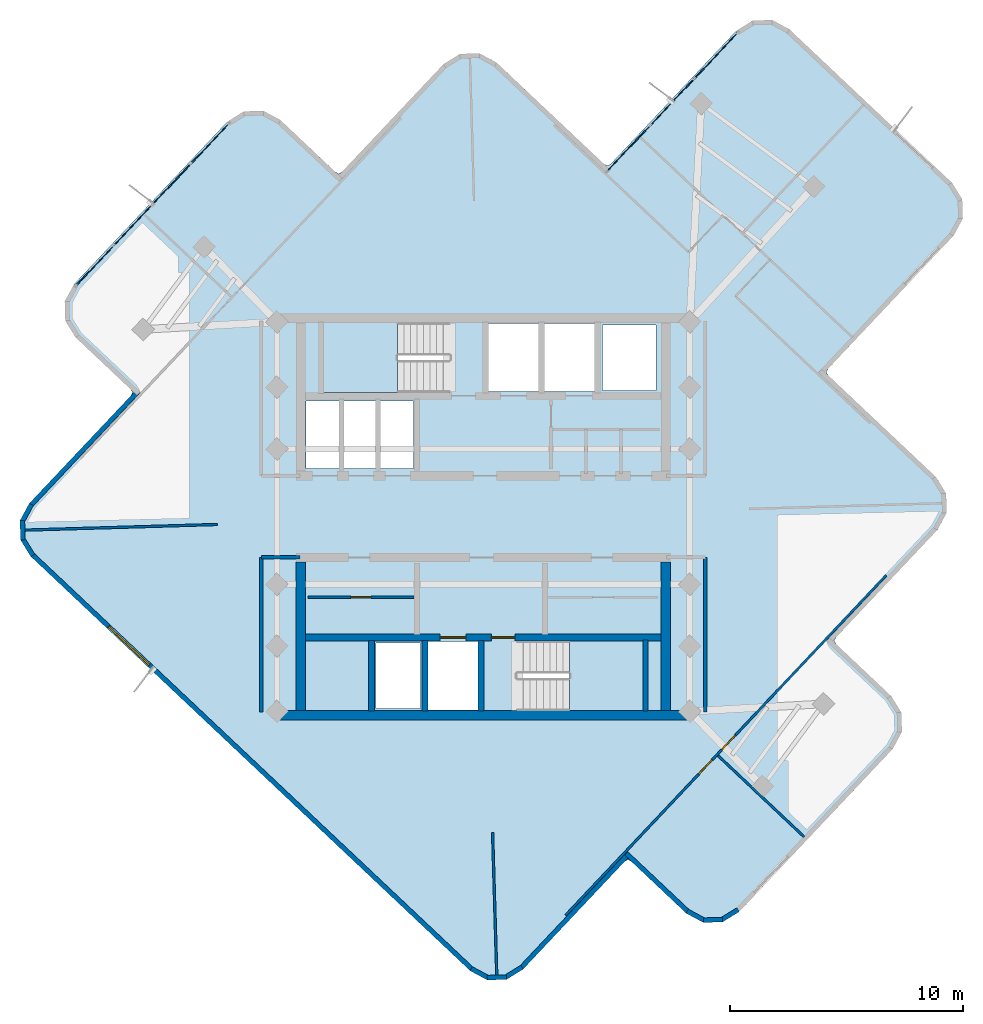
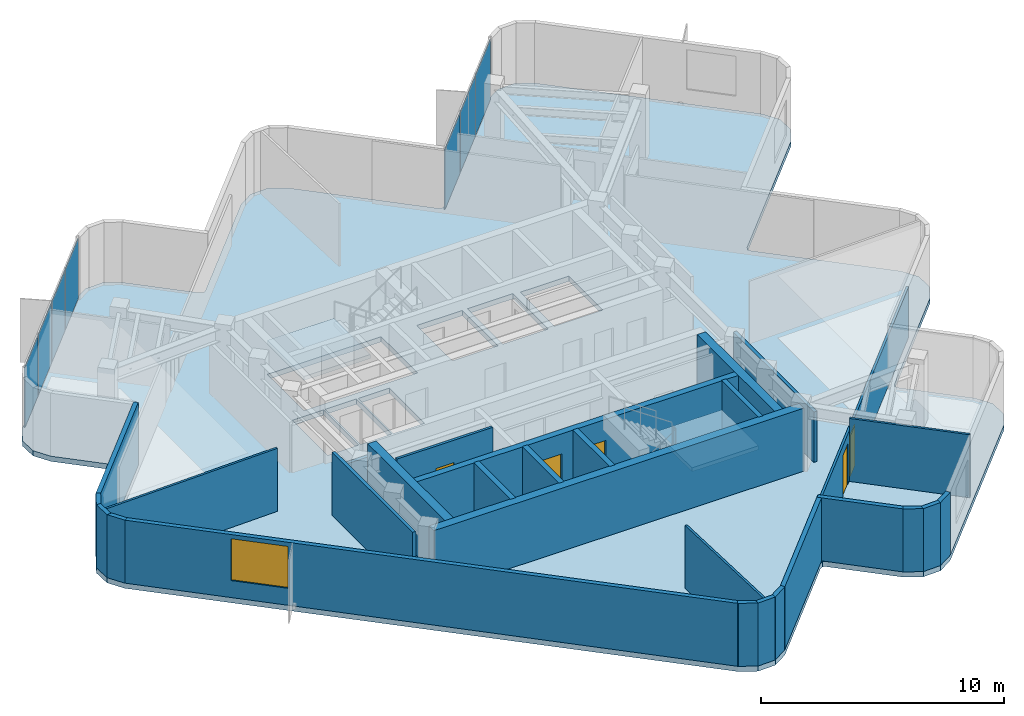
# One storey, part 5 of 10: 29 walls, 7 plates, 5 doors, 3 slabs, 1 window, 6 openings, 4 elements without a shape of their own.
"""IFC4 building model written with IfcOpenShell, lengths in metres."""

from ifc_helpers import new_model, si_unit, direction, frame, frame_2d, origin, origin_2d, place, context, subcontext, project, spatial, polyline, rectangle, outline, extrude, material, layer, layer_set, type_object, element, fill, aggregate, save


model = new_model("IFC4")

# Units and contexts
model_context = context("Model", 3, precision=1e-05, world=origin(), true_north=direction((0.0, 1.0)))
body_context = subcontext(model_context, "Body", "Model", "MODEL_VIEW")
ifc_project = project(units=[si_unit("LENGTHUNIT", "METRE"), si_unit("AREAUNIT", "SQUARE_METRE"), si_unit("VOLUMEUNIT", "CUBIC_METRE"), si_unit("PLANEANGLEUNIT", "RADIAN"), si_unit("MASSUNIT", "GRAM", prefix="KILO")], contexts=[model_context])

# Site, building, storey
site_placement = place(None, origin())
site = spatial("IfcSite", under=ifc_project, at=site_placement, CompositionType="ELEMENT")
building_placement = place(site_placement, origin())
building = spatial("IfcBuilding", under=site, at=building_placement, Name="Solmarez Civic Tower", CompositionType="ELEMENT")
storey_placement = place(building_placement, frame((0.0, 0.0, 247.5)))
storey = spatial("IfcBuildingStorey", under=building, at=storey_placement, Name="L66", CompositionType="ELEMENT", Elevation=247.5)

# Curtain wall, plates
ifc_material_1 = material(Name="Bronze Anodised Aluminium EN AW-6063 T6", Category="aluminium")
ifc_layer_1 = layer(ifc_material_1, 0.1650390625)
ifc_layer_set_1 = layer_set([ifc_layer_1], Name="Bronze Anodised Aluminium EN AW-6063 T6")
curtain_wall_type = type_object("IfcCurtainWallType", Name="CW-SYS-4", PredefinedType="NOTDEFINED", material=ifc_layer_set_1)
curtain_wall_1_placement = place(storey_placement, origin())
curtain_wall_1 = element("IfcCurtainWall", 1, at=curtain_wall_1_placement, inside=storey, type_object=curtain_wall_type, Name="L66 Stick-Built Curtain Wall 1", PredefinedType="NOTDEFINED")
ifc_material_2 = material(Name="Solar Control Low-E Laminated Vision Glass", Category="glass")
ifc_layer_2 = layer(ifc_material_2, 0.0400390625)
ifc_layer_set_2 = layer_set([ifc_layer_2], Name="Solar Control Low-E Laminated Vision Glass")
plate_type = type_object("IfcPlateType", Name="CWP-GLAZ-40", PredefinedType="CURTAIN_PANEL", material=ifc_layer_set_2)
plate_1_placement = place(storey_placement, frame((-16.65234375, 10.763916015625, 0.070068359375), z_axis=(0.0, 0.0, 1.0), x_axis=(0.68607102323, 0.727534570371, 0.0)))
plate_1 = element("IfcPlate", 2, at=plate_1_placement, type_object=plate_type, Name="CWS4 panel 1.1", PredefinedType="CURTAIN_PANEL", context=body_context, shape_type="SweptSolid", body=[
    extrude(rectangle(XDim=2.315673828125, YDim=0.0400390625, at=origin_2d()), origin(), (0.0, 0.0, 1.0), 3.02001953125),
])
plate_2_placement = place(storey_placement, frame((-15.01220703125, 12.50341796875, 0.070068359375), z_axis=(0.0, 0.0, 1.0), x_axis=(0.68607102323, 0.727534570371, 0.0)))
plate_2 = element("IfcPlate", 3, at=plate_2_placement, type_object=plate_type, Name="CWS4 panel 2.1", PredefinedType="CURTAIN_PANEL", context=body_context, shape_type="SweptSolid", body=[
    extrude(rectangle(XDim=2.345703125, YDim=0.0400390625, at=origin_2d()), origin(), (0.0, 0.0, 1.0), 3.02001953125),
])
plate_3_placement = place(storey_placement, frame((-13.36181640625, 14.253662109375, 0.070068359375), z_axis=(0.0, 0.0, 1.0), x_axis=(0.68607102323, 0.727534570371, 0.0)))
plate_3 = element("IfcPlate", 4, at=plate_3_placement, type_object=plate_type, Name="CWS4 panel 3.1", PredefinedType="CURTAIN_PANEL", context=body_context, shape_type="SweptSolid", body=[
    extrude(rectangle(XDim=2.345703125, YDim=0.0400390625, at=origin_2d()), origin(), (0.0, 0.0, 1.0), 3.02001953125),
])
plate_4_placement = place(storey_placement, frame((-11.721435546875, 15.992919921875, 0.070068359375), z_axis=(0.0, 0.0, 1.0), x_axis=(0.68607102323, 0.727534570371, 0.0)))
plate_4 = element("IfcPlate", 5, at=plate_4_placement, type_object=plate_type, Name="CWS4 panel 4.1", PredefinedType="CURTAIN_PANEL", context=body_context, shape_type="SweptSolid", body=[
    extrude(rectangle(XDim=2.315673828125, YDim=0.0400390625, at=origin_2d()), origin(), (0.0, 0.0, 1.0), 3.02001953125),
])
aggregate(curtain_wall_1, [plate_1, plate_2, plate_3, plate_4])

curtain_wall_2_placement = place(storey_placement, origin())
curtain_wall_2 = element("IfcCurtainWall", 6, at=curtain_wall_2_placement, inside=storey, type_object=curtain_wall_type, Name="L66 Stick-Built Curtain Wall 2", PredefinedType="NOTDEFINED")
plate_5_placement = place(storey_placement, frame((6.227783203125, 15.7880859375, 0.070068359375), z_axis=(0.0, 0.0, 1.0), x_axis=(0.6861780287, 0.727433648472, 0.0)))
plate_5 = element("IfcPlate", 7, at=plate_5_placement, type_object=plate_type, Name="CWS4 panel 1.1", PredefinedType="CURTAIN_PANEL", context=body_context, shape_type="SweptSolid", body=[
    extrude(rectangle(XDim=2.656982421875, YDim=0.0400390625, at=origin_2d()), origin(), (0.0, 0.0, 1.0), 3.02001953125),
])
plate_6_placement = place(storey_placement, frame((8.1025390625, 17.775390625, 0.070068359375), z_axis=(0.0, 0.0, 1.0), x_axis=(0.6861780287, 0.727433648472, 0.0)))
plate_6 = element("IfcPlate", 8, at=plate_6_placement, type_object=plate_type, Name="CWS4 panel 2.1", PredefinedType="CURTAIN_PANEL", context=body_context, shape_type="SweptSolid", body=[
    extrude(rectangle(XDim=2.68701171875, YDim=0.0400390625, at=origin_2d()), origin(), (0.0, 0.0, 1.0), 3.02001953125),
])
plate_7_placement = place(storey_placement, frame((9.977294921875, 19.762939453125, 0.070068359375), z_axis=(0.0, 0.0, 1.0), x_axis=(0.6861780287, 0.727433648472, 0.0)))
plate_7 = element("IfcPlate", 9, at=plate_7_placement, type_object=plate_type, Name="CWS4 panel 3.1", PredefinedType="CURTAIN_PANEL", context=body_context, shape_type="SweptSolid", body=[
    extrude(rectangle(XDim=2.656982421875, YDim=0.0400390625, at=origin_2d()), origin(), (0.0, 0.0, 1.0), 3.02001953125),
])
aggregate(curtain_wall_2, [plate_5, plate_6, plate_7])

# Stair, slab
ifc_material_3 = material(Name="Concrete C50/60", Category="concrete")
stair_type = type_object("IfcStairType", Name="STAIR-DOGLEG-140W-18R-1900", PredefinedType="HALF_TURN_STAIR", material=ifc_material_3)
stair_1_placement = place(storey_placement, origin())
stair_1 = element("IfcStair", 10, at=stair_1_placement, inside=storey, type_object=stair_type, Name="L66 North Core Protected Exit Stair ST-1", PredefinedType="HALF_TURN_STAIR")
ifc_layer_3 = layer(ifc_material_3, 0.199951171875)
ifc_layer_set_3 = layer_set([ifc_layer_3], Name="Concrete C50/60")
slab_type_1 = type_object("IfcSlabType", Name="SLAB-LANDING-200", PredefinedType="LANDING", material=ifc_layer_set_3)
slab_1_placement = place(storey_placement, frame((0.0, 0.0, 1.510009765625)))
slab_1 = element("IfcSlab", 11, at=slab_1_placement, type_object=slab_type_1, Name="ST-1 landing 1", PredefinedType="LANDING", context=body_context, shape_type="SweptSolid", body=[
    extrude(outline(polyline([(-3.68994140625, 8.320068359375), (-6.85009765625, 8.320068359375), (-6.85009765625, 5.320068359375), (-3.68994140625, 5.320068359375), (-3.68994140625, 8.320068359375)])), origin(), (0.0, 0.0, 1.0), 0.199951171875),
])
aggregate(stair_1, [slab_1])

stair_2_placement = place(storey_placement, origin())
stair_2 = element("IfcStair", 12, at=stair_2_placement, inside=storey, type_object=stair_type, Name="L66 South Core Protected Exit Stair ST-2", PredefinedType="HALF_TURN_STAIR")
slab_2_placement = place(storey_placement, frame((0.0, 0.0, 1.510009765625)))
slab_2 = element("IfcSlab", 13, at=slab_2_placement, type_object=slab_type_1, Name="ST-2 landing 1", PredefinedType="LANDING", context=body_context, shape_type="SweptSolid", body=[
    extrude(outline(polyline([(3.68994140625, -8.320068359375), (6.85009765625, -8.320068359375), (6.85009765625, -5.320068359375), (3.68994140625, -5.320068359375), (3.68994140625, -8.320068359375)])), origin(), (0.0, 0.0, 1.0), 0.199951171875),
])
aggregate(stair_2, [slab_2])

# Slab
ifc_layer_4 = layer(ifc_material_3, 0.260009765625)
ifc_layer_set_4 = layer_set([ifc_layer_4], Name="Concrete C50/60")
slab_type_2 = type_object("IfcSlabType", Name="SLAB-TOWER-260", PredefinedType="FLOOR", material=ifc_layer_set_4)
slab_3_placement = place(storey_placement, frame((0.0, 0.0, -0.260009765625)))
element("IfcSlab", 14, at=slab_3_placement, inside=storey, type_object=slab_type_2, Name="L66 Structural Slab", PredefinedType="FLOOR", context=body_context, shape_type="SweptSolid", body=[
    extrude(outline(polyline([(6.347900390625, -14.782958984375), (8.705078125, -17.006103515625), (9.43408203125, -17.39794921875), (10.261962890625, -17.3740234375), (10.967041015625, -16.93896484375), (17.552978515625, -9.955078125), (17.946044921875, -9.22607421875), (17.9208984375, -8.39794921875), (17.486083984375, -7.693115234375), (15.1298828125, -5.470947265625), (15.0390625, -5.323974609375), (15.12109375, -5.173095703125), (19.469970703125, -0.56103515625), (19.863037109375, 0.16796875), (19.839111328125, 0.99609375), (19.404052734375, 1.700927734375), (14.7919921875, 6.050048828125), (14.700927734375, 6.197021484375), (14.782958984375, 6.347900390625), (20.160888671875, 12.051025390625), (20.553955078125, 12.780029296875), (20.530029296875, 13.60791015625), (20.094970703125, 14.31298828125), (13.111083984375, 20.89892578125), (12.382080078125, 21.2919921875), (11.553955078125, 21.26806640625), (10.84912109375, 20.8330078125), (5.470947265625, 15.1298828125), (5.323974609375, 15.0390625), (5.173095703125, 15.12109375), (0.56103515625, 19.469970703125), (-0.16796875, 19.863037109375), (-0.99609375, 19.839111328125), (-1.700927734375, 19.404052734375), (-6.050048828125, 14.7919921875), (-6.197021484375, 14.700927734375), (-6.347900390625, 14.782958984375), (-8.705078125, 17.006103515625), (-9.43408203125, 17.39794921875), (-10.261962890625, 17.3740234375), (-10.967041015625, 16.93896484375), (-17.552978515625, 9.955078125), (-17.946044921875, 9.22607421875), (-17.9208984375, 8.39794921875), (-17.486083984375, 7.693115234375), (-15.1298828125, 5.470947265625), (-15.0390625, 5.323974609375), (-15.12109375, 5.173095703125), (-19.469970703125, 0.56103515625), (-19.863037109375, -0.16796875), (-19.839111328125, -0.99609375), (-19.404052734375, -1.700927734375), (-0.56103515625, -19.469970703125), (0.16796875, -19.863037109375), (0.99609375, -19.839111328125), (1.700927734375, -19.404052734375), (6.050048828125, -14.7919921875), (6.197021484375, -14.700927734375), (6.347900390625, -14.782958984375)]), holes=[polyline([(-1.449951171875, 8.320068359375), (-6.85009765625, 8.320068359375), (-6.85009765625, 5.320068359375), (-1.449951171875, 5.320068359375), (-1.449951171875, 8.320068359375)]), polyline([(1.449951171875, -8.320068359375), (6.85009765625, -8.320068359375), (6.85009765625, -5.320068359375), (1.449951171875, -5.320068359375), (1.449951171875, -8.320068359375)]), polyline([(0.219970703125, 5.360107421875), (2.3798828125, 5.360107421875), (2.3798828125, 8.280029296875), (0.219970703125, 8.280029296875), (0.219970703125, 5.360107421875)]), polyline([(2.6201171875, 5.360107421875), (4.780029296875, 5.360107421875), (4.780029296875, 8.280029296875), (2.6201171875, 8.280029296875), (2.6201171875, 5.360107421875)]), polyline([(-2.3798828125, -8.280029296875), (-0.219970703125, -8.280029296875), (-0.219970703125, -5.360107421875), (-2.3798828125, -5.360107421875), (-2.3798828125, -8.280029296875)]), polyline([(-7.60009765625, 2.06005859375), (-6.1201171875, 2.06005859375), (-6.1201171875, 4.9599609375), (-7.60009765625, 4.9599609375), (-7.60009765625, 2.06005859375)]), polyline([(-6.0400390625, 2.06005859375), (-4.56005859375, 2.06005859375), (-4.56005859375, 4.9599609375), (-6.0400390625, 4.9599609375), (-6.0400390625, 2.06005859375)]), polyline([(-4.47998046875, 2.06005859375), (-3.0, 2.06005859375), (-3.0, 4.9599609375), (-4.47998046875, 4.9599609375), (-4.47998046875, 2.06005859375)]), polyline([(5.10009765625, 5.419921875), (7.39990234375, 5.419921875), (7.39990234375, 8.219970703125), (5.10009765625, 8.219970703125), (5.10009765625, 5.419921875)]), polyline([(-4.60009765625, -8.219970703125), (-2.699951171875, -8.219970703125), (-2.699951171875, -5.419921875), (-4.60009765625, -5.419921875), (-4.60009765625, -8.219970703125)])]), origin(), (0.0, 0.0, 1.0), 0.260009765625),
])

# Walls
ifc_layer_5 = layer(ifc_material_3, 0.39990234375)
ifc_layer_set_5 = layer_set([ifc_layer_5], Name="Concrete C50/60")
wall_type_1 = type_object("IfcWallType", Name="WALL-CORE-400", PredefinedType="SHEAR", material=ifc_layer_set_5)
wall_1_placement = place(storey_placement, frame((8.780029296875, -8.510009765625, 0.0), z_axis=(0.0, 0.0, 1.0), x_axis=(-1.0, 0.0, 0.0)))
element("IfcWall", 15, at=wall_1_placement, inside=storey, type_object=wall_type_1, Name="L66 Split-Core Structural Wall SCW-S-L66", PredefinedType="SHEAR", context=body_context, shape_type="SweptSolid", body=[
    extrude(rectangle(XDim=17.56005859375, YDim=0.39990234375, at=frame_2d((8.780029296875, 0.0))), origin(), (0.0, 0.0, 1.0), 3.159912109375),
])
for number, where, z_axis, x_axis, name in (
    (16, (-7.820068359375, -8.31005859375, 0.0), (0.0, 0.0, 1.0), (0.0, 1.0, 0.0), "L66 Split-Core Structural Wall SCW-W-L66"),
    (17, (7.820068359375, -1.949951171875, 0.0), (0.0, 0.0, 1.0), (0.0, -1.0, 0.0), "L66 Split-Core Structural Wall SCW-E-L66"),
):
    element("IfcWall", number, at=place(storey_placement, frame(where, z_axis=z_axis, x_axis=x_axis)), inside=storey, type_object=wall_type_1, Name=name, PredefinedType="SHEAR", context=body_context, shape_type="SweptSolid", body=[
        extrude(rectangle(XDim=6.360107421875, YDim=0.39990234375, at=frame_2d((3.18017578125, 0.0))), origin(), (0.0, 0.0, 1.0), 3.159912109375),
    ])
ifc_material_4 = material(Name="Precast concrete C40/50", Category="concrete")
ifc_layer_6 = layer(ifc_material_4, 0.199951171875)
ifc_layer_set_6 = layer_set([ifc_layer_6], Name="Precast concrete C40/50")
wall_type_2 = type_object("IfcWallType", Name="WALL-EXT-200", PredefinedType="SOLIDWALL", material=ifc_layer_set_6)
wall_2_placement = place(storey_placement, frame((6.24609375, -14.43896484375, 0.0), z_axis=(0.0, 0.0, 1.0), x_axis=(-0.686109803758, -0.727497998064, 0.0)))
element("IfcWall", 18, at=wall_2_placement, inside=storey, type_object=wall_type_2, Name="L66 Exterior Precast Wall 2", PredefinedType="SOLIDWALL", context=body_context, shape_type="SweptSolid", body=[
    extrude(rectangle(XDim=6.742431640625, YDim=0.199951171875, at=frame_2d((3.37109375, 0.0))), origin(), (0.0, 0.0, 1.0), 3.159912109375),
])
wall_3_placement = place(storey_placement, frame((1.657958984375, -19.31298828125, 0.0), z_axis=(0.0, 0.0, 1.0), x_axis=(-0.850997215859, -0.52517019965, 0.0)))
element("IfcWall", 19, at=wall_3_placement, inside=storey, type_object=wall_type_2, Name="L66 Exterior Precast Wall 3", PredefinedType="SOLIDWALL", context=body_context, shape_type="SweptSolid", body=[
    extrude(rectangle(XDim=0.837646484375, YDim=0.199951171875, at=frame_2d((0.4189453125, 0.0))), origin(), (0.0, 0.0, 1.0), 3.159912109375),
])
wall_4_placement = place(storey_placement, frame((0.990966796875, -19.739013671875, 0.0), z_axis=(0.0, 0.0, 1.0), x_axis=(-0.999578691641, -0.029024803491, 0.0)))
element("IfcWall", 20, at=wall_4_placement, inside=storey, type_object=wall_type_2, Name="L66 Exterior Precast Wall 4", PredefinedType="SOLIDWALL", context=body_context, shape_type="SweptSolid", body=[
    extrude(rectangle(XDim=0.82421875, YDim=0.199951171875, at=frame_2d((0.412109375, 0.0))), origin(), (0.0, 0.0, 1.0), 3.159912109375),
])
wall_5_placement = place(storey_placement, frame((0.214111328125, -19.77392578125, 0.0), z_axis=(0.0, 0.0, 1.0), x_axis=(-0.880199822755, 0.474603278561, 0.0)))
element("IfcWall", 21, at=wall_5_placement, inside=storey, type_object=wall_type_2, Name="L66 Exterior Precast Wall 5", PredefinedType="SOLIDWALL", context=body_context, shape_type="SweptSolid", body=[
    extrude(rectangle(XDim=0.83837890625, YDim=0.199951171875, at=frame_2d((0.419189453125, 0.0))), origin(), (0.0, 0.0, 1.0), 3.159912109375),
])

# Wall, opening, window
wall_6_placement = place(storey_placement, frame((-0.48388671875, -19.405029296875, 0.0), z_axis=(0.0, 0.0, 1.0), x_axis=(-0.727540784645, 0.686064433328, 0.0)))
wall_6 = element("IfcWall", 22, at=wall_6_placement, inside=storey, type_object=wall_type_2, Name="L66 Exterior Precast Wall 6", PredefinedType="SOLIDWALL", context=body_context, shape_type="SweptSolid", body=[
    extrude(rectangle(XDim=25.923095703125, YDim=0.199951171875, at=frame_2d((12.96142578125, 0.0))), origin(), (0.0, 0.0, 1.0), 3.159912109375),
])
opening_1_placement = place(wall_6_placement, frame((19.02001953125, 0.0, 0.85009765625)))
opening_1 = element("IfcOpeningElement", 23, at=opening_1_placement, cuts=wall_6, Name="Opening W-02", PredefinedType="OPENING", context=body_context, shape_type="SweptSolid", body=[
    extrude(rectangle(XDim=2.39990234375, YDim=2.10009765625, at=frame_2d((1.199951171875, 1.050048828125))), frame((0.0, 0.10986328125, 0.0), z_axis=(0.0, -1.0, 0.0), x_axis=(1.0, 0.0, 0.0)), (0.0, 0.0, 1.0), 0.219970703125),
])
ifc_material_5 = material(Name="Solar Control Bronze-Tinted Insulating Glass", Category="glass")
window_type = type_object("IfcWindowType", Name="WIN-2400X2100", PartitioningType="SINGLE_PANEL", PredefinedType="WINDOW", material=ifc_material_5)
window_placement = place(opening_1_placement, origin())
window = element("IfcWindow", 24, at=window_placement, inside=storey, type_object=window_type, Name="L66 Exterior Facade Window 6", OverallHeight=2.10009765625, OverallWidth=2.39990234375, PartitioningType="SINGLE_PANEL", PredefinedType="WINDOW", context=body_context, shape_type="SweptSolid", body=[
    extrude(rectangle(XDim=2.39990234375, YDim=2.10009765625, at=frame_2d((1.199951171875, 1.050048828125))), frame((0.0, 0.030029296875, 0.0), z_axis=(0.0, -1.0, 0.0), x_axis=(1.0, 0.0, 0.0)), (0.0, 0.0, 1.0), 0.06005859375),
])
fill(opening_1, window)

# Walls
wall_7_placement = place(storey_placement, frame((-19.31298828125, -1.657958984375, 0.0), z_axis=(0.0, 0.0, 1.0), x_axis=(-0.52517019965, 0.850997215859, 0.0)))
element("IfcWall", 25, at=wall_7_placement, inside=storey, type_object=wall_type_2, Name="L66 Exterior Precast Wall 7", PredefinedType="SOLIDWALL", context=body_context, shape_type="SweptSolid", body=[
    extrude(rectangle(XDim=0.837646484375, YDim=0.199951171875, at=frame_2d((0.4189453125, 0.0))), origin(), (0.0, 0.0, 1.0), 3.159912109375),
])
wall_8_placement = place(storey_placement, frame((-19.739013671875, -0.990966796875, 0.0), z_axis=(0.0, 0.0, 1.0), x_axis=(-0.029024803491, 0.999578691641, 0.0)))
element("IfcWall", 26, at=wall_8_placement, inside=storey, type_object=wall_type_2, Name="L66 Exterior Precast Wall 8", PredefinedType="SOLIDWALL", context=body_context, shape_type="SweptSolid", body=[
    extrude(rectangle(XDim=0.82421875, YDim=0.199951171875, at=frame_2d((0.412109375, 0.0))), origin(), (0.0, 0.0, 1.0), 3.159912109375),
])
wall_9_placement = place(storey_placement, frame((-19.77392578125, -0.214111328125, 0.0), z_axis=(0.0, 0.0, 1.0), x_axis=(0.474603278561, 0.880199822755, 0.0)))
element("IfcWall", 27, at=wall_9_placement, inside=storey, type_object=wall_type_2, Name="L66 Exterior Precast Wall 9", PredefinedType="SOLIDWALL", context=body_context, shape_type="SweptSolid", body=[
    extrude(rectangle(XDim=0.83837890625, YDim=0.199951171875, at=frame_2d((0.419189453125, 0.0))), origin(), (0.0, 0.0, 1.0), 3.159912109375),
])
wall_10_placement = place(storey_placement, frame((-19.405029296875, 0.48388671875, 0.0), z_axis=(0.0, 0.0, 1.0), x_axis=(0.686028756372, 0.727574426042, 0.0)))
element("IfcWall", 28, at=wall_10_placement, inside=storey, type_object=wall_type_2, Name="L66 Exterior Precast Wall 10", PredefinedType="SOLIDWALL", context=body_context, shape_type="SweptSolid", body=[
    extrude(rectangle(XDim=6.740234375, YDim=0.199951171875, at=frame_2d((3.3701171875, 0.0))), origin(), (0.0, 0.0, 1.0), 3.159912109375),
])
wall_11_placement = place(storey_placement, frame((10.924072265625, -16.847900390625, 0.0), z_axis=(0.0, 0.0, 1.0), x_axis=(-0.850947362812, -0.525250974033, 0.0)))
element("IfcWall", 29, at=wall_11_placement, inside=storey, type_object=wall_type_2, Name="L66 Exterior Precast Wall 54", PredefinedType="SOLIDWALL", context=body_context, shape_type="SweptSolid", body=[
    extrude(rectangle(XDim=0.838134765625, YDim=0.199951171875, at=frame_2d((0.4189453125, 0.0))), origin(), (0.0, 0.0, 1.0), 3.159912109375),
])
wall_12_placement = place(storey_placement, frame((10.257080078125, -17.27392578125, 0.0), z_axis=(0.0, 0.0, 1.0), x_axis=(-0.999534635062, -0.03050431627, 0.0)))
element("IfcWall", 30, at=wall_12_placement, inside=storey, type_object=wall_type_2, Name="L66 Exterior Precast Wall 55", PredefinedType="SOLIDWALL", context=body_context, shape_type="SweptSolid", body=[
    extrude(rectangle(XDim=0.824462890625, YDim=0.199951171875, at=frame_2d((0.412109375, 0.0))), origin(), (0.0, 0.0, 1.0), 3.159912109375),
])
wall_13_placement = place(storey_placement, frame((9.47998046875, -17.31005859375, 0.0), z_axis=(0.0, 0.0, 1.0), x_axis=(-0.880199822755, 0.474603278561, 0.0)))
element("IfcWall", 31, at=wall_13_placement, inside=storey, type_object=wall_type_2, Name="L66 Exterior Precast Wall 56", PredefinedType="SOLIDWALL", context=body_context, shape_type="SweptSolid", body=[
    extrude(rectangle(XDim=0.83837890625, YDim=0.199951171875, at=frame_2d((0.419189453125, 0.0))), origin(), (0.0, 0.0, 1.0), 3.159912109375),
])
wall_14_placement = place(storey_placement, frame((8.781982421875, -16.94091796875, 0.0), z_axis=(0.0, 0.0, 1.0), x_axis=(-0.727388601412, 0.686225781019, 0.0)))
element("IfcWall", 32, at=wall_14_placement, inside=storey, type_object=wall_type_2, Name="L66 Exterior Precast Wall 57", PredefinedType="SOLIDWALL", context=body_context, shape_type="SweptSolid", body=[
    extrude(rectangle(XDim=3.6416015625, YDim=0.199951171875, at=frame_2d((1.82080078125, 0.0))), origin(), (0.0, 0.0, 1.0), 3.159912109375),
])
ifc_material_6 = material(Name="Gypsum Board Acoustic Steel-Stud Partition", Category="steel")
ifc_layer_7 = layer(ifc_material_6, 0.14990234375)
ifc_layer_set_7 = layer_set([ifc_layer_7], Name="Gypsum Board Acoustic Steel-Stud Partition")
wall_type_3 = type_object("IfcWallType", Name="WALL-INT-FIRE-150", PredefinedType="PARTITIONING", material=ifc_layer_set_7)
wall_15_placement = place(storey_placement, frame((-9.52001953125, -8.3798828125, 0.0), z_axis=(0.0, 0.0, 1.0), x_axis=(0.0, 1.0, 0.0)))
element("IfcWall", 33, at=wall_15_placement, inside=storey, type_object=wall_type_3, Name="L66 Interior Partition CHW-L66-WS1", PredefinedType="PARTITIONING", context=body_context, shape_type="SweptSolid", body=[
    extrude(rectangle(XDim=6.6298828125, YDim=0.14990234375, at=frame_2d((3.31494140625, 0.0))), origin(), (0.0, 0.0, 1.0), 3.159912109375),
])
wall_16_placement = place(storey_placement, frame((-7.85009765625, -1.75, 0.0), z_axis=(0.0, 0.0, 1.0), x_axis=(-1.0, 0.0, 0.0)))
element("IfcWall", 34, at=wall_16_placement, inside=storey, type_object=wall_type_3, Name="L66 Interior Partition CHW-L66-WS3", PredefinedType="PARTITIONING", context=body_context, shape_type="SweptSolid", body=[
    extrude(rectangle(XDim=1.669921875, YDim=0.14990234375, at=frame_2d((0.8349609375, 0.0))), origin(), (0.0, 0.0, 1.0), 2.389892578125),
])
wall_17_placement = place(storey_placement, frame((9.52001953125, -8.3798828125, 0.0), z_axis=(0.0, 0.0, 1.0), x_axis=(0.0, 1.0, 0.0)))
element("IfcWall", 35, at=wall_17_placement, inside=storey, type_object=wall_type_3, Name="L66 Interior Partition CHW-L66-ES1", PredefinedType="PARTITIONING", context=body_context, shape_type="SweptSolid", body=[
    extrude(rectangle(XDim=6.6298828125, YDim=0.14990234375, at=frame_2d((3.31494140625, 0.0))), origin(), (0.0, 0.0, 1.0), 2.530029296875),
])
ifc_layer_8 = layer(ifc_material_6, 0.10009765625)
ifc_layer_set_8 = layer_set([ifc_layer_8], Name="Gypsum Board Acoustic Steel-Stud Partition")
wall_type_4 = type_object("IfcWallType", Name="WALL-INT-PART-100", PredefinedType="PARTITIONING", material=ifc_layer_set_8)
wall_18_placement = place(storey_placement, frame((-11.39501953125, -0.333984375, 0.0), z_axis=(0.0, 0.0, 1.0), x_axis=(-0.999571055306, -0.029286607775, 0.0)))
element("IfcWall", 36, at=wall_18_placement, inside=storey, type_object=wall_type_4, Name="L66 Interior Partition PT-L66-QDIV-2", PredefinedType="PARTITIONING", context=body_context, shape_type="SweptSolid", body=[
    extrude(rectangle(XDim=8.294677734375, YDim=0.10009765625, at=frame_2d((4.1474609375, 0.0))), origin(), (0.0, 0.0, 1.0), 3.159912109375),
])
wall_19_placement = place(storey_placement, frame((0.39697265625, -13.5400390625, 0.0), z_axis=(0.0, 0.0, 1.0), x_axis=(0.029263699144, -0.999571726247, 0.0)))
element("IfcWall", 37, at=wall_19_placement, inside=storey, type_object=wall_type_4, Name="L66 Interior Partition PT-L66-QDIV-3", PredefinedType="PARTITIONING", context=body_context, shape_type="SweptSolid", body=[
    extrude(rectangle(XDim=6.148681640625, YDim=0.10009765625, at=frame_2d((3.07421875, 0.0))), origin(), (0.0, 0.0, 1.0), 3.159912109375),
])
wall_20_placement = place(storey_placement, frame((10.06298828125, -10.2451171875, 0.0), z_axis=(0.0, 0.0, 1.0), x_axis=(0.727475044052, -0.686134141608, 0.0)))
element("IfcWall", 38, at=wall_20_placement, inside=storey, type_object=wall_type_4, Name="L66 Interior Partition PT-L66-S-ALM", PredefinedType="PARTITIONING", context=body_context, shape_type="SweptSolid", body=[
    extrude(rectangle(XDim=5.084716796875, YDim=0.10009765625, at=frame_2d((2.54248046875, 0.0))), origin(), (0.0, 0.0, 1.0), 3.159912109375),
])

# Wall, openings, doors
wall_21_placement = place(storey_placement, frame((17.27099609375, -2.513916015625, 0.0), z_axis=(0.0, 0.0, 1.0), x_axis=(-0.686068145865, -0.727537283739, 0.0)))
wall_21 = element("IfcWall", 39, at=wall_21_placement, inside=storey, type_object=wall_type_4, Name="L66 Interior Partition PT-L66-S-ENT", PredefinedType="PARTITIONING", context=body_context, shape_type="SweptSolid", body=[
    extrude(rectangle(XDim=20.040283203125, YDim=0.10009765625, at=frame_2d((10.02001953125, 0.0))), origin(), (0.0, 0.0, 1.0), 2.530029296875),
])
opening_2_placement = place(wall_21_placement, frame((10.860107421875, 0.0, 0.0)))
opening_2 = element("IfcOpeningElement", 40, at=opening_2_placement, cuts=wall_21, Name="Opening D-14", PredefinedType="OPENING", context=body_context, shape_type="SweptSolid", body=[
    extrude(rectangle(XDim=0.860107421875, YDim=2.0400390625, at=frame_2d((0.43017578125, 1.02001953125))), frame((0.0, 0.06005859375, 0.0), z_axis=(0.0, -1.0, 0.0), x_axis=(1.0, 0.0, 0.0)), (0.0, 0.0, 1.0), 0.1201171875),
])
opening_3_placement = place(wall_21_placement, frame((9.419921875, 0.0, 0.0)))
opening_3 = element("IfcOpeningElement", 41, at=opening_3_placement, cuts=wall_21, Name="Opening D-14", PredefinedType="OPENING", context=body_context, shape_type="SweptSolid", body=[
    extrude(rectangle(XDim=0.860107421875, YDim=2.0400390625, at=frame_2d((0.43017578125, 1.02001953125))), frame((0.0, 0.06005859375, 0.0), z_axis=(0.0, -1.0, 0.0), x_axis=(1.0, 0.0, 0.0)), (0.0, 0.0, 1.0), 0.1201171875),
])
ifc_material_7 = material(Name="Timber Storage and Pantry Door", Category="wood")
door_type_1 = type_object("IfcDoorType", Name="DOOR-INT-850", OperationType="NOTDEFINED", PredefinedType="DOOR", material=ifc_material_7)
door_1_placement = place(opening_2_placement, origin())
door_1 = element("IfcDoor", 42, at=door_1_placement, inside=storey, type_object=door_type_1, Name="L66 Public Reception Room Second South Door", OperationType="SINGLE_SWING_RIGHT", OverallHeight=2.0400390625, OverallWidth=0.860107421875, PredefinedType="DOOR", context=body_context, shape_type="SweptSolid", body=[
    extrude(rectangle(XDim=0.860107421875, YDim=2.0400390625, at=frame_2d((0.43017578125, 1.02001953125))), frame((0.0, 0.02490234375, 0.0), z_axis=(0.0, -1.0, 0.0), x_axis=(1.0, 0.0, 0.0)), (0.0, 0.0, 1.0), 0.050048828125),
])
fill(opening_2, door_1)
door_2_placement = place(opening_3_placement, origin())
door_2 = element("IfcDoor", 43, at=door_2_placement, inside=storey, type_object=door_type_1, Name="L66 Ministry Conference Room First South Door", OperationType="SINGLE_SWING_LEFT", OverallHeight=2.0400390625, OverallWidth=0.860107421875, PredefinedType="DOOR", context=body_context, shape_type="SweptSolid", body=[
    extrude(rectangle(XDim=0.860107421875, YDim=2.0400390625, at=frame_2d((0.43017578125, 1.02001953125))), frame((0.0, 0.02490234375, 0.0), z_axis=(0.0, -1.0, 0.0), x_axis=(1.0, 0.0, 0.0)), (0.0, 0.0, 1.0), 0.050048828125),
])
fill(opening_3, door_2)

# Wall, opening, door
ifc_layer_9 = layer(ifc_material_6, 0.1201171875)
ifc_layer_set_9 = layer_set([ifc_layer_9], Name="Gypsum Board Acoustic Steel-Stud Partition")
wall_type_5 = type_object("IfcWallType", Name="WALL-INT-PART-120", PredefinedType="PARTITIONING", material=ifc_layer_set_9)
wall_22_placement = place(storey_placement, frame((-7.52001953125, -3.449951171875, 0.0), z_axis=(0.0, 0.0, 1.0), x_axis=(1.0, 0.0, 0.0)))
wall_22 = element("IfcWall", 44, at=wall_22_placement, inside=storey, type_object=wall_type_5, Name="L66 Interior Partition PT-FPLM-L66", PredefinedType="PARTITIONING", context=body_context, shape_type="SweptSolid", body=[
    extrude(rectangle(XDim=4.5400390625, YDim=0.1201171875, at=frame_2d((2.27001953125, 0.0))), origin(), (0.0, 0.0, 1.0), 3.159912109375),
])
opening_4_placement = place(wall_22_placement, frame((1.840087890625, 0.0, 0.0)))
opening_4 = element("IfcOpeningElement", 45, at=opening_4_placement, cuts=wall_22, Name="Opening D-14", PredefinedType="OPENING", context=body_context, shape_type="SweptSolid", body=[
    extrude(rectangle(XDim=0.860107421875, YDim=2.0400390625, at=frame_2d((0.43017578125, 1.02001953125))), frame((0.0, 0.070068359375, 0.0), z_axis=(0.0, -1.0, 0.0), x_axis=(1.0, 0.0, 0.0)), (0.0, 0.0, 1.0), 0.14013671875),
])
door_3_placement = place(opening_4_placement, origin())
door_3 = element("IfcDoor", 46, at=door_3_placement, inside=storey, type_object=door_type_1, Name="L66 Directorate Copy Office Door", OperationType="SINGLE_SWING_RIGHT", OverallHeight=2.0400390625, OverallWidth=0.860107421875, PredefinedType="DOOR", context=body_context, shape_type="SweptSolid", body=[
    extrude(rectangle(XDim=0.860107421875, YDim=2.0400390625, at=frame_2d((0.43017578125, 1.02001953125))), frame((0.0, 0.02490234375, 0.0), z_axis=(0.0, -1.0, 0.0), x_axis=(1.0, 0.0, 0.0)), (0.0, 0.0, 1.0), 0.050048828125),
])
fill(opening_4, door_3)

# Wall, openings, doors
ifc_layer_10 = layer(ifc_material_3, 0.300048828125)
ifc_layer_set_10 = layer_set([ifc_layer_10], Name="Concrete C50/60")
wall_type_6 = type_object("IfcWallType", Name="WALL-STR-300", PredefinedType="SOLIDWALL", material=ifc_layer_set_10)
wall_23_placement = place(storey_placement, frame((-7.6201171875, -5.179931640625, 0.0), z_axis=(0.0, 0.0, 1.0), x_axis=(1.0, 0.0, 0.0)))
wall_23 = element("IfcWall", 47, at=wall_23_placement, inside=storey, type_object=wall_type_6, Name="L66 Split-Core Structural Wall SCW-M-L66", PredefinedType="SOLIDWALL", context=body_context, shape_type="SweptSolid", body=[
    extrude(rectangle(XDim=15.240234375, YDim=0.300048828125, at=frame_2d((7.6201171875, 0.0))), origin(), (0.0, 0.0, 1.0), 3.159912109375),
])
opening_5_placement = place(wall_23_placement, frame((5.77001953125, 0.0, 0.0)))
opening_5 = element("IfcOpeningElement", 48, at=opening_5_placement, cuts=wall_23, Name="Opening LD-02", PredefinedType="OPENING", context=body_context, shape_type="SweptSolid", body=[
    extrude(rectangle(XDim=1.10009765625, YDim=2.14990234375, at=frame_2d((0.550048828125, 1.074951171875))), frame((0.0, 0.159912109375, 0.0), z_axis=(0.0, -1.0, 0.0), x_axis=(1.0, 0.0, 0.0)), (0.0, 0.0, 1.0), 0.320068359375),
])
opening_6_placement = place(wall_23_placement, frame((7.969970703125, 0.0, 0.0)))
opening_6 = element("IfcOpeningElement", 49, at=opening_6_placement, cuts=wall_23, Name="Opening D-05", PredefinedType="OPENING", context=body_context, shape_type="SweptSolid", body=[
    extrude(rectangle(XDim=1.0, YDim=2.10009765625, at=frame_2d((0.5, 1.050048828125))), frame((0.0, 0.159912109375, 0.0), z_axis=(0.0, -1.0, 0.0), x_axis=(1.0, 0.0, 0.0)), (0.0, 0.0, 1.0), 0.320068359375),
])
ifc_material_8 = material(Name="Fire-Rated Stairwell Exit Door", Category="wood")
door_type_2 = type_object("IfcDoorType", Name="DOOR-FD90-1000", OperationType="NOTDEFINED", PredefinedType="DOOR", material=ifc_material_8)
door_4_placement = place(opening_6_placement, origin())
door_4 = element("IfcDoor", 50, at=door_4_placement, inside=storey, type_object=door_type_2, Name="L66 South Exit Stair Door ST-2", OperationType="SINGLE_SWING_RIGHT", OverallHeight=2.10009765625, OverallWidth=1.0, PredefinedType="DOOR", context=body_context, shape_type="SweptSolid", body=[
    extrude(rectangle(XDim=1.0, YDim=2.10009765625, at=frame_2d((0.5, 1.050048828125))), frame((0.0, 0.02490234375, 0.0), z_axis=(0.0, -1.0, 0.0), x_axis=(1.0, 0.0, 0.0)), (0.0, 0.0, 1.0), 0.050048828125),
])
fill(opening_6, door_4)
ifc_material_9 = material(Name="Stainless Firefighting Lift Landing Sliding Door", Category="aluminium")
door_type_3 = type_object("IfcDoorType", Name="DOOR-LD-FF-1100", OperationType="DOUBLE_DOOR_SLIDING", PredefinedType="DOOR", material=ifc_material_9)
door_5_placement = place(opening_5_placement, origin())
door_5 = element("IfcDoor", 51, at=door_5_placement, inside=storey, type_object=door_type_3, Name="L66 Firefighting Lift Landing Door FFL-2", OperationType="DOUBLE_DOOR_SLIDING", OverallHeight=2.14990234375, OverallWidth=1.10009765625, PredefinedType="DOOR", context=body_context, shape_type="SweptSolid", body=[
    extrude(rectangle(XDim=1.10009765625, YDim=2.14990234375, at=frame_2d((0.550048828125, 1.074951171875))), frame((0.0, 0.02490234375, 0.0), z_axis=(0.0, -1.0, 0.0), x_axis=(1.0, 0.0, 0.0)), (0.0, 0.0, 1.0), 0.050048828125),
])
fill(opening_5, door_5)

# Walls
wall_24_placement = place(storey_placement, frame((6.949951171875, -8.340087890625, 0.0), z_axis=(0.0, 0.0, 1.0), x_axis=(0.0, 1.0, 0.0)))
element("IfcWall", 52, at=wall_24_placement, inside=storey, type_object=wall_type_6, Name="L66 Split-Core Structural Wall SHW-SE-L66", PredefinedType="SOLIDWALL", context=body_context, shape_type="SweptSolid", body=[
    extrude(rectangle(XDim=3.06005859375, YDim=0.219970703125, at=frame_2d((1.530029296875, 0.0))), origin(), (0.0, 0.0, 1.0), 3.159912109375),
])
for number, where, z_axis, x_axis, name in (
    (53, (-0.10009765625, -8.340087890625, 0.0), (0.0, 0.0, 1.0), (0.0, 1.0, 0.0), "L66 Split-Core Structural Wall SHW-S1-L66"),
    (54, (-2.5, -8.340087890625, 0.0), (0.0, 0.0, 1.0), (0.0, 1.0, 0.0), "L66 Split-Core Structural Wall SHW-S2-L66"),
    (55, (-4.800048828125, -8.340087890625, 0.0), (0.0, 0.0, 1.0), (0.0, 1.0, 0.0), "L66 Split-Core Structural Wall SHW-S3-L66"),
):
    element("IfcWall", number, at=place(storey_placement, frame(where, z_axis=z_axis, x_axis=x_axis)), inside=storey, type_object=wall_type_6, Name=name, PredefinedType="SOLIDWALL", context=body_context, shape_type="SweptSolid", body=[
        extrude(rectangle(XDim=3.0400390625, YDim=0.25, at=frame_2d((1.52001953125, 0.0))), origin(), (0.0, 0.0, 1.0), 3.159912109375),
    ])

save(model, "model.ifc")
